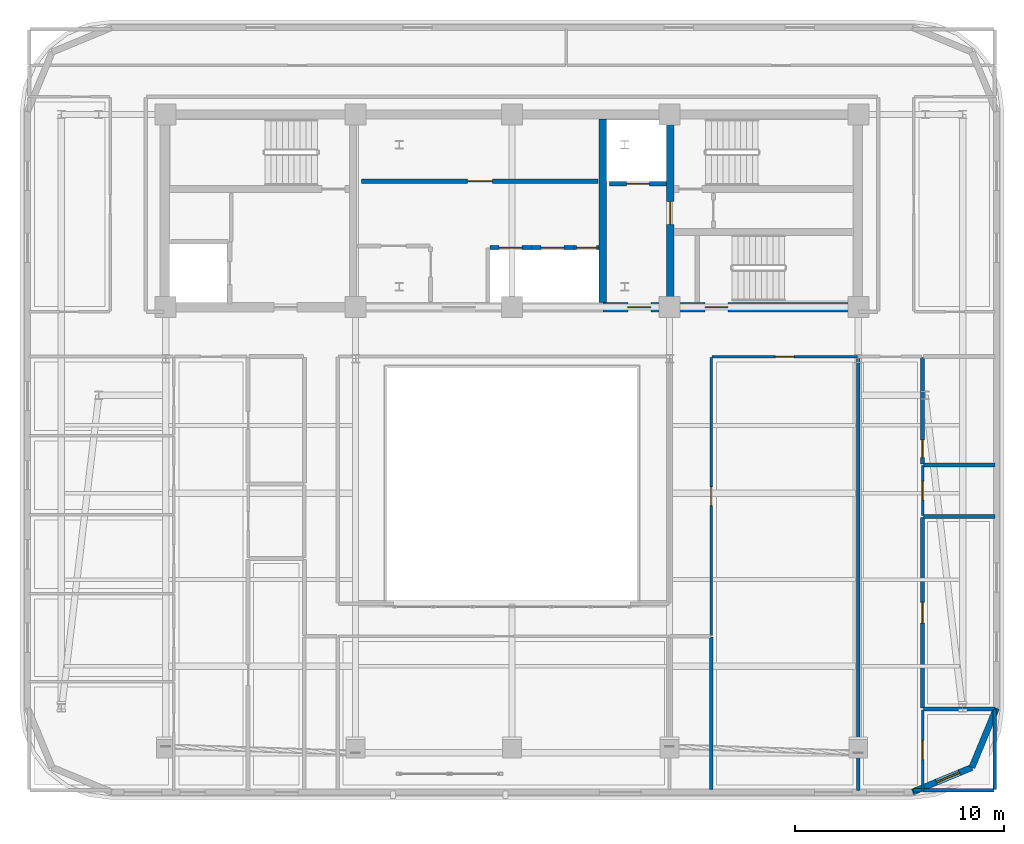
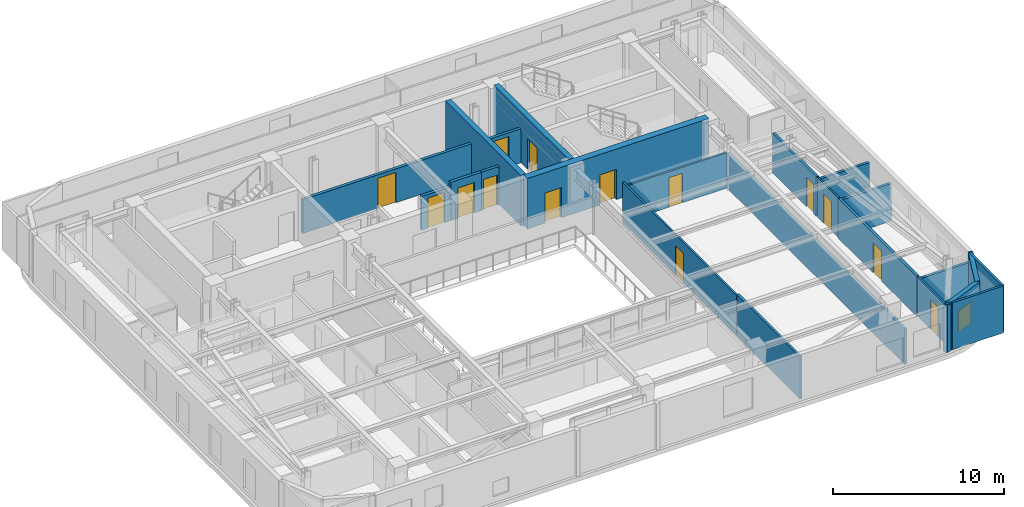
# One storey, part 8 of 14: 24 walls, 14 doors, 1 window, 15 openings.
"""IFC4 building model written with IfcOpenShell, lengths in metres."""

from ifc_helpers import new_model, si_unit, direction, frame, frame_2d, origin, place, context, subcontext, project, spatial, rectangle, extrude, material, layer, layer_set, type_object, element, fill, save


model = new_model("IFC4")

# Units and contexts
model_context = context("Model", 3, precision=1e-05, world=origin(), true_north=direction((0.0, 1.0)))
body_context = subcontext(model_context, "Body", "Model", "MODEL_VIEW")
ifc_project = project(units=[si_unit("LENGTHUNIT", "METRE"), si_unit("AREAUNIT", "SQUARE_METRE"), si_unit("VOLUMEUNIT", "CUBIC_METRE"), si_unit("PLANEANGLEUNIT", "RADIAN"), si_unit("MASSUNIT", "GRAM", prefix="KILO")], contexts=[model_context])

# Site, building, storey
site_placement = place(None, origin())
site = spatial("IfcSite", under=ifc_project, at=site_placement, CompositionType="ELEMENT")
building_placement = place(site_placement, origin())
building = spatial("IfcBuilding", under=site, at=building_placement, Name="Zarnavel Station Tower", CompositionType="ELEMENT")
storey_placement = place(building_placement, frame((0.0, 0.0, 214.800048828125)))
storey = spatial("IfcBuildingStorey", under=building, at=storey_placement, Name="L58", CompositionType="ELEMENT", Elevation=214.800048828125)

# Wall
ifc_material_1 = material(Name="Concrete C50/60", Category="concrete")
ifc_layer_1 = layer(ifc_material_1, 0.35009765625)
ifc_layer_set_1 = layer_set([ifc_layer_1], Name="CW_350")
wall_type_1 = type_object("IfcWallType", Name="CW_350", PredefinedType="SHEAR", material=ifc_layer_set_1)
wall_1_placement = place(storey_placement, frame((33.14990234375, 28.044921875, 0.0), z_axis=(0.0, 0.0, 1.0), x_axis=(0.0, 1.0, 0.0)))
element("IfcWall", 1, at=wall_1_placement, inside=storey, type_object=wall_type_1, Name="L58 Rear Core Shear Wall DIV-E", PredefinedType="SHEAR", context=body_context, shape_type="SweptSolid", body=[
    extrude(rectangle(XDim=8.780029296875, YDim=0.35009765625, at=frame_2d((4.39013671875, 0.0))), origin(), (0.0, 0.0, 1.0), 3.599853515625),
])

# Wall, opening, door
wall_2_placement = place(storey_placement, frame((36.3798828125, 28.044921875, 0.0), z_axis=(0.0, 0.0, 1.0), x_axis=(0.0, 1.0, 0.0)))
wall_2 = element("IfcWall", 2, at=wall_2_placement, inside=storey, type_object=wall_type_1, Name="L58 Rear Core Shear Wall DIV-S2", PredefinedType="SHEAR", context=body_context, shape_type="SweptSolid", body=[
    extrude(rectangle(XDim=8.780029296875, YDim=0.35009765625, at=frame_2d((4.39013671875, 0.0))), origin(), (0.0, 0.0, 1.0), 3.599853515625),
])
opening_1_placement = place(wall_2_placement, frame((3.735107421875, 0.0, 0.0)))
opening_1 = element("IfcOpeningElement", 3, at=opening_1_placement, cuts=wall_2, Name="Opening FD01", PredefinedType="OPENING", context=body_context, shape_type="SweptSolid", body=[
    extrude(rectangle(XDim=1.10009765625, YDim=2.14990234375, at=frame_2d((0.550048828125, 1.074951171875))), frame((0.0, 0.18505859375, 0.0), z_axis=(0.0, -1.0, 0.0), x_axis=(1.0, 0.0, 0.0)), (0.0, 0.0, 1.0), 0.3701171875),
])
ifc_material_2 = material(Name="Painted Galvanised Steel and Hardwood Leaf", Category="steel")
door_type_1 = type_object("IfcDoorType", Name="ID_STAIR_1100", OperationType="NOTDEFINED", PredefinedType="DOOR", material=ifc_material_2)
door_1_placement = place(opening_1_placement, origin())
door_1 = element("IfcDoor", 4, at=door_1_placement, inside=storey, type_object=door_type_1, Name="L58 East Stair Vestibule Fire Door", OperationType="SINGLE_SWING_LEFT", OverallHeight=2.14990234375, OverallWidth=1.10009765625, PredefinedType="DOOR", context=body_context, shape_type="SweptSolid", body=[
    extrude(rectangle(XDim=1.10009765625, YDim=2.14990234375, at=frame_2d((0.550048828125, 1.074951171875))), frame((0.0, 0.02490234375, 0.0), z_axis=(0.0, -1.0, 0.0), x_axis=(1.0, 0.0, 0.0)), (0.0, 0.0, 1.0), 0.050048828125),
])
fill(opening_1, door_1)

# Wall, openings, doors
ifc_material_3 = material(Name="Concrete C50/60", Category="concrete")
ifc_layer_2 = layer(ifc_material_3, 0.449951171875)
ifc_layer_set_2 = layer_set([ifc_layer_2], Name="CW_450")
wall_type_2 = type_object("IfcWallType", Name="CW_450", PredefinedType="SHEAR", material=ifc_layer_set_2)
wall_3_placement = place(storey_placement, frame((45.3798828125, 27.820068359375, 0.0), z_axis=(0.0, 0.0, 1.0), x_axis=(-1.0, 0.0, 0.0)))
wall_3 = element("IfcWall", 5, at=wall_3_placement, inside=storey, type_object=wall_type_2, Name="L58 Rear Core Shear Wall S-E", PredefinedType="SHEAR", context=body_context, shape_type="SweptSolid", body=[
    extrude(rectangle(XDim=12.22998046875, YDim=0.449951171875, at=frame_2d((6.114990234375, 0.0))), origin(), (0.0, 0.0, 1.0), 3.599853515625),
])
opening_2_placement = place(wall_3_placement, frame((9.929931640625, 0.0, 0.0)))
opening_2 = element("IfcOpeningElement", 6, at=opening_2_placement, cuts=wall_3, Name="Opening FD01", PredefinedType="OPENING", context=body_context, shape_type="SweptSolid", body=[
    extrude(rectangle(XDim=1.10009765625, YDim=2.14990234375, at=frame_2d((0.550048828125, 1.074951171875))), frame((0.0, 0.23486328125, 0.0), z_axis=(0.0, -1.0, 0.0), x_axis=(1.0, 0.0, 0.0)), (0.0, 0.0, 1.0), 0.469970703125),
])
opening_3_placement = place(wall_3_placement, frame((6.22998046875, 0.0, 0.0)))
opening_3 = element("IfcOpeningElement", 7, at=opening_3_placement, cuts=wall_3, Name="Opening FD01", PredefinedType="OPENING", context=body_context, shape_type="SweptSolid", body=[
    extrude(rectangle(XDim=1.10009765625, YDim=2.14990234375, at=frame_2d((0.550048828125, 1.074951171875))), frame((0.0, 0.23486328125, 0.0), z_axis=(0.0, -1.0, 0.0), x_axis=(1.0, 0.0, 0.0)), (0.0, 0.0, 1.0), 0.469970703125),
])
door_2_placement = place(opening_2_placement, origin())
door_2 = element("IfcDoor", 8, at=door_2_placement, inside=storey, type_object=door_type_1, Name="L58 East Firefighting Lobby Door", OperationType="SINGLE_SWING_LEFT", OverallHeight=2.14990234375, OverallWidth=1.10009765625, PredefinedType="DOOR", context=body_context, shape_type="SweptSolid", body=[
    extrude(rectangle(XDim=1.10009765625, YDim=2.14990234375, at=frame_2d((0.550048828125, 1.074951171875))), frame((0.0, 0.02490234375, 0.0), z_axis=(0.0, -1.0, 0.0), x_axis=(1.0, 0.0, 0.0)), (0.0, 0.0, 1.0), 0.050048828125),
])
fill(opening_2, door_2)
door_3_placement = place(opening_3_placement, origin())
door_3 = element("IfcDoor", 9, at=door_3_placement, inside=storey, type_object=door_type_1, Name="L58 Stair ST3 Corridor Fire Door", OperationType="SINGLE_SWING_RIGHT", OverallHeight=2.14990234375, OverallWidth=1.10009765625, PredefinedType="DOOR", context=body_context, shape_type="SweptSolid", body=[
    extrude(rectangle(XDim=1.10009765625, YDim=2.14990234375, at=frame_2d((0.550048828125, 1.074951171875))), frame((0.0, 0.02490234375, 0.0), z_axis=(0.0, -1.0, 0.0), x_axis=(1.0, 0.0, 0.0)), (0.0, 0.0, 1.0), 0.050048828125),
])
fill(opening_3, door_3)

# Wall, opening, window
ifc_material_4 = material(Name="Precast concrete C45/55 (Dark Basalt Finish)", Category="masonry")
ifc_layer_3 = layer(ifc_material_4, 0.300048828125)
ifc_layer_set_3 = layer_set([ifc_layer_3], Name="EW_BASALT_300")
wall_type_3 = type_object("IfcWallType", Name="EW_BASALT_300", PredefinedType="SOLIDWALL", material=ifc_layer_set_3)
wall_4_placement = place(storey_placement, frame((50.842529296875, 5.75732421875, 0.0), z_axis=(0.0, 0.0, 1.0), x_axis=(-0.92389884758, -0.382636798336, 0.0)))
wall_4 = element("IfcWall", 10, at=wall_4_placement, inside=storey, type_object=wall_type_3, Name="L58 Exterior Basalt Masonry Frame Wall 01", PredefinedType="SOLIDWALL", context=body_context, shape_type="SweptSolid", body=[
    extrude(rectangle(XDim=3.07666015625, YDim=0.300048828125, at=frame_2d((1.538330078125, 0.0))), origin(), (0.0, 0.0, 1.0), 3.33984375),
])
opening_4_placement = place(wall_4_placement, frame((0.643798828125, 0.0, 0.75)))
opening_4 = element("IfcOpeningElement", 11, at=opening_4_placement, cuts=wall_4, Name="Opening WN08", PredefinedType="OPENING", context=body_context, shape_type="SweptSolid", body=[
    extrude(rectangle(XDim=1.199951171875, YDim=1.5, at=frame_2d((0.60009765625, 0.75))), frame((0.0, 0.159912109375, 0.0), z_axis=(0.0, -1.0, 0.0), x_axis=(1.0, 0.0, 0.0)), (0.0, 0.0, 1.0), 0.320068359375),
])
ifc_material_5 = material(Name="Thermally Broken Black Aluminium and Low-E Dark Glass", Category="aluminium")
window_type = type_object("IfcWindowType", Name="WN_1200x1500", PartitioningType="SINGLE_PANEL", PredefinedType="WINDOW", material=ifc_material_5)
window_placement = place(opening_4_placement, origin())
window = element("IfcWindow", 12, at=window_placement, inside=storey, type_object=window_type, Name="L58 Recessed Facade Window 01", OverallHeight=1.5, OverallWidth=1.199951171875, PartitioningType="SINGLE_PANEL", PredefinedType="WINDOW", context=body_context, shape_type="SweptSolid", body=[
    extrude(rectangle(XDim=1.199951171875, YDim=1.5, at=frame_2d((0.60009765625, 0.75))), frame((0.0, 0.030029296875, 0.0), z_axis=(0.0, -1.0, 0.0), x_axis=(1.0, 0.0, 0.0)), (0.0, 0.0, 1.0), 0.06005859375),
])
fill(opening_4, window)

# Walls
wall_5_placement = place(storey_placement, frame((52.02001953125, 8.60009765625, 0.0), z_axis=(0.0, 0.0, 1.0), x_axis=(-0.382676475685, -0.923882414032, 0.0)))
element("IfcWall", 13, at=wall_5_placement, inside=storey, type_object=wall_type_3, Name="L58 Exterior Basalt Masonry Frame Wall 02", PredefinedType="SOLIDWALL", context=body_context, shape_type="SweptSolid", body=[
    extrude(rectangle(XDim=3.076904296875, YDim=0.300048828125, at=frame_2d((1.53857421875, 0.0))), origin(), (0.0, 0.0, 1.0), 3.33984375),
])
ifc_material_6 = material(Name="Gypsum Twin-Stud Acoustic Fire Partition", Category="concrete")
ifc_layer_4 = layer(ifc_material_6, 0.159912109375)
ifc_layer_set_4 = layer_set([ifc_layer_4], Name="PT_DEMISE_160")
wall_type_4 = type_object("IfcWallType", Name="PT_DEMISE_160", PredefinedType="PARTITIONING", material=ifc_layer_set_4)
wall_6_placement = place(storey_placement, frame((45.39990234375, 4.659912109375, 0.0), z_axis=(0.0, 0.0, 1.0), x_axis=(0.0, 1.0, 0.0)))
element("IfcWall", 14, at=wall_6_placement, inside=storey, type_object=wall_type_4, Name="L58 Partition L57FIT-UE1LV", PredefinedType="PARTITIONING", context=body_context, shape_type="SweptSolid", body=[
    extrude(rectangle(XDim=20.75, YDim=0.159912109375, at=frame_2d((10.375, 0.0))), origin(), (0.0, 0.0, 1.0), 2.52001953125),
])
wall_7_placement = place(storey_placement, frame((38.35009765625, 4.68994140625, 0.0), z_axis=(0.0, 0.0, 1.0), x_axis=(0.0, 1.0, 0.0)))
element("IfcWall", 15, at=wall_7_placement, inside=storey, type_object=wall_type_4, Name="L58 Enclosure Wall L57FIT", PredefinedType="PARTITIONING", context=body_context, shape_type="SweptSolid", body=[
    extrude(rectangle(XDim=7.330078125, YDim=0.159912109375, at=frame_2d((3.6650390625, 0.0))), origin(), (0.0, 0.0, 1.0), 3.0),
])
wall_8_placement = place(storey_placement, frame((48.030029296875, 4.659912109375, 0.0), z_axis=(0.0, 0.0, 1.0), x_axis=(1.0, 0.0, 0.0)))
element("IfcWall", 16, at=wall_8_placement, inside=storey, type_object=wall_type_4, Name="L58 Enclosure Wall UE1LV", PredefinedType="PARTITIONING", context=body_context, shape_type="SweptSolid", body=[
    extrude(rectangle(XDim=0.4140625, YDim=0.159912109375, at=frame_2d((0.20703125, 0.0))), origin(), (0.0, 0.0, 1.0), 3.33984375),
])
wall_9_placement = place(storey_placement, frame((48.50390625, 4.659912109375, 0.0), z_axis=(0.0, 0.0, 1.0), x_axis=(1.0, 0.0, 0.0)))
element("IfcWall", 17, at=wall_9_placement, inside=storey, type_object=wall_type_4, Name="L58 Enclosure Wall UE1B1", PredefinedType="PARTITIONING", context=body_context, shape_type="SweptSolid", body=[
    extrude(rectangle(XDim=3.406005859375, YDim=0.159912109375, at=frame_2d((1.703125, 0.0))), origin(), (0.0, 0.0, 1.0), 3.33984375),
])
wall_10_placement = place(storey_placement, frame((51.93994140625, 4.68994140625, 0.0), z_axis=(0.0, 0.0, 1.0), x_axis=(0.0, 1.0, 0.0)))
element("IfcWall", 18, at=wall_10_placement, inside=storey, type_object=wall_type_4, Name="L58 Enclosure Wall UE1B1", PredefinedType="PARTITIONING", context=body_context, shape_type="SweptSolid", body=[
    extrude(rectangle(XDim=3.8349609375, YDim=0.159912109375, at=frame_2d((1.91748046875, 0.0))), origin(), (0.0, 0.0, 1.0), 3.33984375),
])

# Wall, opening, door
ifc_material_7 = material(Name="Gypsum Metal-Stud Interior Partition", Category="concrete")
ifc_layer_5 = layer(ifc_material_7, 0.1201171875)
ifc_layer_set_5 = layer_set([ifc_layer_5], Name="PT_ROOM_120")
wall_type_5 = type_object("IfcWallType", Name="PT_ROOM_120", PredefinedType="PARTITIONING", material=ifc_layer_set_5)
wall_11_placement = place(storey_placement, frame((38.389892578125, 25.449951171875, 0.0), z_axis=(0.0, 0.0, 1.0), x_axis=(1.0, 0.0, 0.0)))
wall_11 = element("IfcWall", 19, at=wall_11_placement, inside=storey, type_object=wall_type_5, Name="L58 Partition COR-S-L57FIT", PredefinedType="PARTITIONING", context=body_context, shape_type="SweptSolid", body=[
    extrude(rectangle(XDim=6.97021484375, YDim=0.1201171875, at=frame_2d((3.485107421875, 0.0))), origin(), (0.0, 0.0, 1.0), 2.52001953125),
])
opening_5_placement = place(wall_11_placement, frame((3.034912109375, 0.0, 0.0)))
opening_5 = element("IfcOpeningElement", 20, at=opening_5_placement, cuts=wall_11, Name="Opening ID01", PredefinedType="OPENING", context=body_context, shape_type="SweptSolid", body=[
    extrude(rectangle(XDim=0.89990234375, YDim=2.10009765625, at=frame_2d((0.449951171875, 1.050048828125))), frame((0.0, 0.070068359375, 0.0), z_axis=(0.0, -1.0, 0.0), x_axis=(1.0, 0.0, 0.0)), (0.0, 0.0, 1.0), 0.14013671875),
])
ifc_material_8 = material(Name="Painted Galvanised Steel and Hardwood Leaf", Category="steel")
door_type_2 = type_object("IfcDoorType", Name="ID_ROOM_900", OperationType="NOTDEFINED", PredefinedType="DOOR", material=ifc_material_8)
door_4_placement = place(opening_5_placement, origin())
door_4 = element("IfcDoor", 21, at=door_4_placement, inside=storey, type_object=door_type_2, Name="L58 Door COR-S-L57FIT", OperationType="SINGLE_SWING_LEFT", OverallHeight=2.10009765625, OverallWidth=0.89990234375, PredefinedType="DOOR", context=body_context, shape_type="SweptSolid", body=[
    extrude(rectangle(XDim=0.89990234375, YDim=2.10009765625, at=frame_2d((0.449951171875, 1.050048828125))), frame((0.0, 0.02490234375, 0.0), z_axis=(0.0, -1.0, 0.0), x_axis=(1.0, 0.0, 0.0)), (0.0, 0.0, 1.0), 0.050048828125),
])
fill(opening_5, door_4)

wall_12_placement = place(storey_placement, frame((38.35009765625, 12.090087890625, 0.0), z_axis=(0.0, 0.0, 1.0), x_axis=(0.0, 1.0, 0.0)))
wall_12 = element("IfcWall", 22, at=wall_12_placement, inside=storey, type_object=wall_type_5, Name="L58 Partition COR-AE-L57FIT", PredefinedType="PARTITIONING", context=body_context, shape_type="SweptSolid", body=[
    extrude(rectangle(XDim=13.31982421875, YDim=0.1201171875, at=frame_2d((6.659912109375, 0.0))), origin(), (0.0, 0.0, 1.0), 2.869873046875),
])
opening_6_placement = place(wall_12_placement, frame((6.2099609375, 0.0, 0.0)))
opening_6 = element("IfcOpeningElement", 23, at=opening_6_placement, cuts=wall_12, Name="Opening ID01", PredefinedType="OPENING", context=body_context, shape_type="SweptSolid", body=[
    extrude(rectangle(XDim=0.89990234375, YDim=2.10009765625, at=frame_2d((0.449951171875, 1.050048828125))), frame((0.0, 0.070068359375, 0.0), z_axis=(0.0, -1.0, 0.0), x_axis=(1.0, 0.0, 0.0)), (0.0, 0.0, 1.0), 0.14013671875),
])
door_5_placement = place(opening_6_placement, origin())
door_5 = element("IfcDoor", 24, at=door_5_placement, inside=storey, type_object=door_type_2, Name="L58 Door COR-AE-L57FIT", OperationType="SINGLE_SWING_LEFT", OverallHeight=2.10009765625, OverallWidth=0.89990234375, PredefinedType="DOOR", context=body_context, shape_type="SweptSolid", body=[
    extrude(rectangle(XDim=0.89990234375, YDim=2.10009765625, at=frame_2d((0.449951171875, 1.050048828125))), frame((0.0, 0.02490234375, 0.0), z_axis=(0.0, -1.0, 0.0), x_axis=(1.0, 0.0, 0.0)), (0.0, 0.0, 1.0), 0.050048828125),
])
fill(opening_6, door_5)

wall_13_placement = place(storey_placement, frame((48.47412109375, 4.659912109375, 0.0), z_axis=(0.0, 0.0, 1.0), x_axis=(0.0, 1.0, 0.0)))
wall_13 = element("IfcWall", 25, at=wall_13_placement, inside=storey, type_object=wall_type_5, Name="L58 Partition UE1LV-UE1B1", PredefinedType="PARTITIONING", context=body_context, shape_type="SweptSolid", body=[
    extrude(rectangle(XDim=3.85498046875, YDim=0.1201171875, at=frame_2d((1.927490234375, 0.0))), origin(), (0.0, 0.0, 1.0), 2.820068359375),
])
opening_7_placement = place(wall_13_placement, frame((1.4775390625, 0.0, 0.0)))
opening_7 = element("IfcOpeningElement", 26, at=opening_7_placement, cuts=wall_13, Name="Opening ID01", PredefinedType="OPENING", context=body_context, shape_type="SweptSolid", body=[
    extrude(rectangle(XDim=0.89990234375, YDim=2.10009765625, at=frame_2d((0.449951171875, 1.050048828125))), frame((0.0, 0.070068359375, 0.0), z_axis=(0.0, -1.0, 0.0), x_axis=(1.0, 0.0, 0.0)), (0.0, 0.0, 1.0), 0.14013671875),
])
door_6_placement = place(opening_7_placement, origin())
door_6 = element("IfcDoor", 27, at=door_6_placement, inside=storey, type_object=door_type_2, Name="L58 Door UE1LV-UE1B1", OperationType="SINGLE_SWING_LEFT", OverallHeight=2.10009765625, OverallWidth=0.89990234375, PredefinedType="DOOR", context=body_context, shape_type="SweptSolid", body=[
    extrude(rectangle(XDim=0.89990234375, YDim=2.10009765625, at=frame_2d((0.449951171875, 1.050048828125))), frame((0.0, 0.02490234375, 0.0), z_axis=(0.0, -1.0, 0.0), x_axis=(1.0, 0.0, 0.0)), (0.0, 0.0, 1.0), 0.050048828125),
])
fill(opening_7, door_6)

wall_14_placement = place(storey_placement, frame((48.47412109375, 17.827880859375, 0.0), z_axis=(0.0, 0.0, 1.0), x_axis=(0.0, 1.0, 0.0)))
wall_14 = element("IfcWall", 28, at=wall_14_placement, inside=storey, type_object=wall_type_5, Name="L58 Partition UE1LV-UE1UT", PredefinedType="PARTITIONING", context=body_context, shape_type="SweptSolid", body=[
    extrude(rectangle(XDim=2.38916015625, YDim=0.1201171875, at=frame_2d((1.194580078125, 0.0))), origin(), (0.0, 0.0, 1.0), 2.820068359375),
])
opening_8_placement = place(wall_14_placement, frame((0.744384765625, 0.0, 0.0)))
opening_8 = element("IfcOpeningElement", 29, at=opening_8_placement, cuts=wall_14, Name="Opening ID01", PredefinedType="OPENING", context=body_context, shape_type="SweptSolid", body=[
    extrude(rectangle(XDim=0.89990234375, YDim=2.10009765625, at=frame_2d((0.449951171875, 1.050048828125))), frame((0.0, 0.070068359375, 0.0), z_axis=(0.0, -1.0, 0.0), x_axis=(1.0, 0.0, 0.0)), (0.0, 0.0, 1.0), 0.14013671875),
])
door_7_placement = place(opening_8_placement, origin())
door_7 = element("IfcDoor", 30, at=door_7_placement, inside=storey, type_object=door_type_2, Name="L58 Door UE1LV-UE1UT", OperationType="SINGLE_SWING_LEFT", OverallHeight=2.10009765625, OverallWidth=0.89990234375, PredefinedType="DOOR", context=body_context, shape_type="SweptSolid", body=[
    extrude(rectangle(XDim=0.89990234375, YDim=2.10009765625, at=frame_2d((0.449951171875, 1.050048828125))), frame((0.0, 0.02490234375, 0.0), z_axis=(0.0, -1.0, 0.0), x_axis=(1.0, 0.0, 0.0)), (0.0, 0.0, 1.0), 0.050048828125),
])
fill(opening_8, door_7)

ifc_material_9 = material(Name="Precast concrete C45/55 (Fire Shaft Blockwork)", Category="masonry")
ifc_layer_6 = layer(ifc_material_9, 0.199951171875)
ifc_layer_set_6 = layer_set([ifc_layer_6], Name="PT_SHAFT_200")
wall_type_6 = type_object("IfcWallType", Name="PT_SHAFT_200", PredefinedType="PARTITIONING", material=ifc_layer_set_6)
wall_15_placement = place(storey_placement, frame((33.47509765625, 33.72998046875, 0.0), z_axis=(0.0, 0.0, 1.0), x_axis=(1.0, 0.0, 0.0)))
wall_15 = element("IfcWall", 31, at=wall_15_placement, inside=storey, type_object=wall_type_6, Name="L58 Lift FFL-02 Shaft Front Wall", PredefinedType="PARTITIONING", context=body_context, shape_type="SweptSolid", body=[
    extrude(rectangle(XDim=2.724853515625, YDim=0.199951171875, at=frame_2d((1.3623046875, 0.0))), origin(), (0.0, 0.0, 1.0), 2.409912109375),
])
opening_9_placement = place(wall_15_placement, frame((0.8125, 0.0, 0.0)))
opening_9 = element("IfcOpeningElement", 32, at=opening_9_placement, cuts=wall_15, Name="Opening LD01", PredefinedType="OPENING", context=body_context, shape_type="SweptSolid", body=[
    extrude(rectangle(XDim=1.10009765625, YDim=2.14990234375, at=frame_2d((0.550048828125, 1.074951171875))), frame((0.0, 0.10986328125, 0.0), z_axis=(0.0, -1.0, 0.0), x_axis=(1.0, 0.0, 0.0)), (0.0, 0.0, 1.0), 0.219970703125),
])
ifc_material_10 = material(Name="Painted Galvanised Steel and Hardwood Leaf", Category="steel")
door_type_3 = type_object("IfcDoorType", Name="LD_FF_1100", OperationType="DOUBLE_DOOR_SLIDING", PredefinedType="DOOR", material=ifc_material_10)
door_8_placement = place(opening_9_placement, origin())
door_8 = element("IfcDoor", 33, at=door_8_placement, inside=storey, type_object=door_type_3, Name="L58 Lift FFL-02 Sliding Landing Door", OperationType="DOUBLE_DOOR_SLIDING", OverallHeight=2.14990234375, OverallWidth=1.10009765625, PredefinedType="DOOR", context=body_context, shape_type="SweptSolid", body=[
    extrude(rectangle(XDim=1.10009765625, YDim=2.14990234375, at=frame_2d((0.550048828125, 1.074951171875))), frame((0.0, 0.02490234375, 0.0), z_axis=(0.0, -1.0, 0.0), x_axis=(1.0, 0.0, 0.0)), (0.0, 0.0, 1.0), 0.050048828125),
])
fill(opening_9, door_8)

wall_16_placement = place(storey_placement, frame((27.75, 30.669921875, 0.0), z_axis=(0.0, 0.0, 1.0), x_axis=(1.0, 0.0, 0.0)))
wall_16 = element("IfcWall", 34, at=wall_16_placement, inside=storey, type_object=wall_type_6, Name="L58 Lift PL-H1 Shaft Front Wall", PredefinedType="PARTITIONING", context=body_context, shape_type="SweptSolid", body=[
    extrude(rectangle(XDim=1.97509765625, YDim=0.199951171875, at=frame_2d((0.987548828125, 0.0))), origin(), (0.0, 0.0, 1.0), 2.409912109375),
])
opening_10_placement = place(wall_16_placement, frame((0.4375, 0.0, 0.0)))
opening_10 = element("IfcOpeningElement", 35, at=opening_10_placement, cuts=wall_16, Name="Opening LD02", PredefinedType="OPENING", context=body_context, shape_type="SweptSolid", body=[
    extrude(rectangle(XDim=1.10009765625, YDim=2.14990234375, at=frame_2d((0.550048828125, 1.074951171875))), frame((0.0, 0.10986328125, 0.0), z_axis=(0.0, -1.0, 0.0), x_axis=(1.0, 0.0, 0.0)), (0.0, 0.0, 1.0), 0.219970703125),
])
ifc_material_11 = material(Name="Painted Galvanised Steel and Hardwood Leaf", Category="steel")
door_type_4 = type_object("IfcDoorType", Name="LD_PAX_1100", OperationType="DOUBLE_DOOR_SLIDING", PredefinedType="DOOR", material=ifc_material_11)
door_9_placement = place(opening_10_placement, origin())
door_9 = element("IfcDoor", 36, at=door_9_placement, inside=storey, type_object=door_type_4, Name="L58 Lift PL-H1 Sliding Landing Door", OperationType="DOUBLE_DOOR_SLIDING", OverallHeight=2.14990234375, OverallWidth=1.10009765625, PredefinedType="DOOR", context=body_context, shape_type="SweptSolid", body=[
    extrude(rectangle(XDim=1.10009765625, YDim=2.14990234375, at=frame_2d((0.550048828125, 1.074951171875))), frame((0.0, 0.02490234375, 0.0), z_axis=(0.0, -1.0, 0.0), x_axis=(1.0, 0.0, 0.0)), (0.0, 0.0, 1.0), 0.050048828125),
])
fill(opening_10, door_9)

wall_17_placement = place(storey_placement, frame((29.72509765625, 30.669921875, 0.0), z_axis=(0.0, 0.0, 1.0), x_axis=(1.0, 0.0, 0.0)))
wall_17 = element("IfcWall", 37, at=wall_17_placement, inside=storey, type_object=wall_type_6, Name="L58 Lift PL-H2 Shaft Front Wall", PredefinedType="PARTITIONING", context=body_context, shape_type="SweptSolid", body=[
    extrude(rectangle(XDim=2.0498046875, YDim=0.199951171875, at=frame_2d((1.02490234375, 0.0))), origin(), (0.0, 0.0, 1.0), 2.719970703125),
])
opening_11_placement = place(wall_17_placement, frame((0.47509765625, 0.0, 0.0)))
opening_11 = element("IfcOpeningElement", 38, at=opening_11_placement, cuts=wall_17, Name="Opening LD02", PredefinedType="OPENING", context=body_context, shape_type="SweptSolid", body=[
    extrude(rectangle(XDim=1.10009765625, YDim=2.14990234375, at=frame_2d((0.550048828125, 1.074951171875))), frame((0.0, 0.10986328125, 0.0), z_axis=(0.0, -1.0, 0.0), x_axis=(1.0, 0.0, 0.0)), (0.0, 0.0, 1.0), 0.219970703125),
])
door_10_placement = place(opening_11_placement, origin())
door_10 = element("IfcDoor", 39, at=door_10_placement, inside=storey, type_object=door_type_4, Name="L58 Lift PL-H2 Sliding Landing Door", OperationType="DOUBLE_DOOR_SLIDING", OverallHeight=2.14990234375, OverallWidth=1.10009765625, PredefinedType="DOOR", context=body_context, shape_type="SweptSolid", body=[
    extrude(rectangle(XDim=1.10009765625, YDim=2.14990234375, at=frame_2d((0.550048828125, 1.074951171875))), frame((0.0, 0.02490234375, 0.0), z_axis=(0.0, -1.0, 0.0), x_axis=(1.0, 0.0, 0.0)), (0.0, 0.0, 1.0), 0.050048828125),
])
fill(opening_11, door_10)

wall_18_placement = place(storey_placement, frame((31.77490234375, 30.669921875, 0.0), z_axis=(0.0, 0.0, 1.0), x_axis=(1.0, 0.0, 0.0)))
wall_18 = element("IfcWall", 40, at=wall_18_placement, inside=storey, type_object=wall_type_6, Name="L58 Lift PL-H3 Shaft Front Wall", PredefinedType="PARTITIONING", context=body_context, shape_type="SweptSolid", body=[
    extrude(rectangle(XDim=1.2001953125, YDim=0.199951171875, at=frame_2d((0.60009765625, 0.0))), origin(), (0.0, 0.0, 1.0), 2.719970703125),
])
opening_12_placement = place(wall_18_placement, frame((0.125, 0.0, 0.0)))
opening_12 = element("IfcOpeningElement", 41, at=opening_12_placement, cuts=wall_18, Name="Opening LD03", PredefinedType="OPENING", context=body_context, shape_type="SweptSolid", body=[
    extrude(rectangle(XDim=0.949951171875, YDim=2.14990234375, at=frame_2d((0.47509765625, 1.074951171875))), frame((0.0, 0.10986328125, 0.0), z_axis=(0.0, -1.0, 0.0), x_axis=(1.0, 0.0, 0.0)), (0.0, 0.0, 1.0), 0.219970703125),
])
ifc_material_12 = material(Name="Painted Galvanised Steel and Hardwood Leaf", Category="steel")
door_type_5 = type_object("IfcDoorType", Name="LD_PAX_0950", OperationType="DOUBLE_DOOR_SLIDING", PredefinedType="DOOR", material=ifc_material_12)
door_11_placement = place(opening_12_placement, origin())
door_11 = element("IfcDoor", 42, at=door_11_placement, inside=storey, type_object=door_type_5, Name="L58 Lift PL-H3 Sliding Landing Door", OperationType="DOUBLE_DOOR_SLIDING", OverallHeight=2.14990234375, OverallWidth=0.949951171875, PredefinedType="DOOR", context=body_context, shape_type="SweptSolid", body=[
    extrude(rectangle(XDim=0.949951171875, YDim=2.14990234375, at=frame_2d((0.47509765625, 1.074951171875))), frame((0.0, 0.02490234375, 0.0), z_axis=(0.0, -1.0, 0.0), x_axis=(1.0, 0.0, 0.0)), (0.0, 0.0, 1.0), 0.050048828125),
])
fill(opening_12, door_11)

wall_19_placement = place(storey_placement, frame((21.590087890625, 33.85009765625, 0.0), z_axis=(0.0, 0.0, 1.0), x_axis=(1.0, 0.0, 0.0)))
wall_19 = element("IfcWall", 43, at=wall_19_placement, inside=storey, type_object=wall_type_6, Name="L58 Partition LLOB-FB2A", PredefinedType="PARTITIONING", context=body_context, shape_type="SweptSolid", body=[
    extrude(rectangle(XDim=11.33984375, YDim=0.199951171875, at=frame_2d((5.669921875, 0.0))), origin(), (0.0, 0.0, 1.0), 2.409912109375),
])
opening_13_placement = place(wall_19_placement, frame((5.070068359375, 0.0, 0.0)))
opening_13 = element("IfcOpeningElement", 44, at=opening_13_placement, cuts=wall_19, Name="Opening FD03", PredefinedType="OPENING", context=body_context, shape_type="SweptSolid", body=[
    extrude(rectangle(XDim=1.199951171875, YDim=2.14990234375, at=frame_2d((0.60009765625, 1.074951171875))), frame((0.0, 0.10986328125, 0.0), z_axis=(0.0, -1.0, 0.0), x_axis=(1.0, 0.0, 0.0)), (0.0, 0.0, 1.0), 0.219970703125),
])
ifc_material_13 = material(Name="Painted Galvanised Steel and Hardwood Leaf", Category="steel")
door_type_6 = type_object("IfcDoorType", Name="ID_PLANT_1200", OperationType="NOTDEFINED", PredefinedType="DOOR", material=ifc_material_13)
door_12_placement = place(opening_13_placement, origin())
door_12 = element("IfcDoor", 45, at=door_12_placement, inside=storey, type_object=door_type_6, Name="L58 Door LLOB-FB2A", OperationType="SINGLE_SWING_RIGHT", OverallHeight=2.14990234375, OverallWidth=1.199951171875, PredefinedType="DOOR", context=body_context, shape_type="SweptSolid", body=[
    extrude(rectangle(XDim=1.199951171875, YDim=2.14990234375, at=frame_2d((0.60009765625, 1.074951171875))), frame((0.0, 0.02490234375, 0.0), z_axis=(0.0, -1.0, 0.0), x_axis=(1.0, 0.0, 0.0)), (0.0, 0.0, 1.0), 0.050048828125),
])
fill(opening_13, door_12)

ifc_material_14 = material(Name="Moisture-Resistant Plumbing Chase Wall", Category="concrete")
ifc_layer_7 = layer(ifc_material_14, 0.179931640625)
ifc_layer_set_7 = layer_set([ifc_layer_7], Name="PW_PLUMB_180")
wall_type_7 = type_object("IfcWallType", Name="PW_PLUMB_180", PredefinedType="PLUMBINGWALL", material=ifc_layer_set_7)
wall_20_placement = place(storey_placement, frame((48.47412109375, 8.594970703125, 0.0), z_axis=(0.0, 0.0, 1.0), x_axis=(0.0, 1.0, 0.0)))
wall_20 = element("IfcWall", 46, at=wall_20_placement, inside=storey, type_object=wall_type_7, Name="L58 Partition UE1LV-UE1KT", PredefinedType="PLUMBINGWALL", context=body_context, shape_type="SweptSolid", body=[
    extrude(rectangle(XDim=9.153076171875, YDim=0.179931640625, at=frame_2d((4.57666015625, 0.0))), origin(), (0.0, 0.0, 1.0), 2.820068359375),
])
opening_14_placement = place(wall_20_placement, frame((4.076416015625, 0.0, 0.0)))
opening_14 = element("IfcOpeningElement", 47, at=opening_14_placement, cuts=wall_20, Name="Opening FD02", PredefinedType="OPENING", context=body_context, shape_type="SweptSolid", body=[
    extrude(rectangle(XDim=1.0, YDim=2.14990234375, at=frame_2d((0.5, 1.074951171875))), frame((0.0, 0.099853515625, 0.0), z_axis=(0.0, -1.0, 0.0), x_axis=(1.0, 0.0, 0.0)), (0.0, 0.0, 1.0), 0.199951171875),
])
ifc_material_15 = material(Name="Painted Galvanised Steel and Hardwood Leaf", Category="steel")
door_type_7 = type_object("IfcDoorType", Name="ID_ENTRY_1000", OperationType="NOTDEFINED", PredefinedType="DOOR", material=ifc_material_15)
door_13_placement = place(opening_14_placement, origin())
door_13 = element("IfcDoor", 48, at=door_13_placement, inside=storey, type_object=door_type_7, Name="L58 Door UE1LV-UE1KT", OperationType="SINGLE_SWING_RIGHT", OverallHeight=2.14990234375, OverallWidth=1.0, PredefinedType="DOOR", context=body_context, shape_type="SweptSolid", body=[
    extrude(rectangle(XDim=1.0, YDim=2.14990234375, at=frame_2d((0.5, 1.074951171875))), frame((0.0, 0.02490234375, 0.0), z_axis=(0.0, -1.0, 0.0), x_axis=(1.0, 0.0, 0.0)), (0.0, 0.0, 1.0), 0.050048828125),
])
fill(opening_14, door_13)

wall_21_placement = place(storey_placement, frame((48.47412109375, 20.297119140625, 0.0), z_axis=(0.0, 0.0, 1.0), x_axis=(0.0, 1.0, 0.0)))
wall_21 = element("IfcWall", 49, at=wall_21_placement, inside=storey, type_object=wall_type_7, Name="L58 Partition UE1LV-UE1BA", PredefinedType="PLUMBINGWALL", context=body_context, shape_type="SweptSolid", body=[
    extrude(rectangle(XDim=5.11279296875, YDim=0.179931640625, at=frame_2d((2.556396484375, 0.0))), origin(), (0.0, 0.0, 1.0), 2.820068359375),
])
opening_15_placement = place(wall_21_placement, frame((0.305908203125, 0.0, 0.0)))
opening_15 = element("IfcOpeningElement", 50, at=opening_15_placement, cuts=wall_21, Name="Opening ID02", PredefinedType="OPENING", context=body_context, shape_type="SweptSolid", body=[
    extrude(rectangle(XDim=0.85009765625, YDim=2.10009765625, at=frame_2d((0.425048828125, 1.050048828125))), frame((0.0, 0.099853515625, 0.0), z_axis=(0.0, -1.0, 0.0), x_axis=(1.0, 0.0, 0.0)), (0.0, 0.0, 1.0), 0.199951171875),
])
ifc_material_16 = material(Name="Painted Galvanised Steel and Hardwood Leaf", Category="steel")
door_type_8 = type_object("IfcDoorType", Name="ID_BATH_850", OperationType="NOTDEFINED", PredefinedType="DOOR", material=ifc_material_16)
door_14_placement = place(opening_15_placement, origin())
door_14 = element("IfcDoor", 51, at=door_14_placement, inside=storey, type_object=door_type_8, Name="L58 Door UE1LV-UE1BA", OperationType="SINGLE_SWING_RIGHT", OverallHeight=2.10009765625, OverallWidth=0.85009765625, PredefinedType="DOOR", context=body_context, shape_type="SweptSolid", body=[
    extrude(rectangle(XDim=0.85009765625, YDim=2.10009765625, at=frame_2d((0.425048828125, 1.050048828125))), frame((0.0, 0.02490234375, 0.0), z_axis=(0.0, -1.0, 0.0), x_axis=(1.0, 0.0, 0.0)), (0.0, 0.0, 1.0), 0.050048828125),
])
fill(opening_15, door_14)

# Walls
for number, where, z_axis, x_axis, name in (
    (52, (48.513916015625, 8.554931640625, 0.0), (0.0, 0.0, 1.0), (1.0, 0.0, 0.0), "L58 Partition UE1B1-UE1KT"),
    (53, (48.513916015625, 17.7880859375, 0.0), (0.0, 0.0, 1.0), (1.0, 0.0, 0.0), "L58 Partition UE1KT-UE1UT"),
    (54, (48.513916015625, 20.257080078125, 0.0), (0.0, 0.0, 1.0), (1.0, 0.0, 0.0), "L58 Partition UE1UT-UE1BA"),
):
    element("IfcWall", number, at=place(storey_placement, frame(where, z_axis=z_axis, x_axis=x_axis)), inside=storey, type_object=wall_type_7, Name=name, PredefinedType="PLUMBINGWALL", context=body_context, shape_type="SweptSolid", body=[
        extrude(rectangle(XDim=3.426025390625, YDim=0.179931640625, at=frame_2d((1.712890625, 0.0))), origin(), (0.0, 0.0, 1.0), 2.669921875),
    ])

save(model, "model.ifc")
